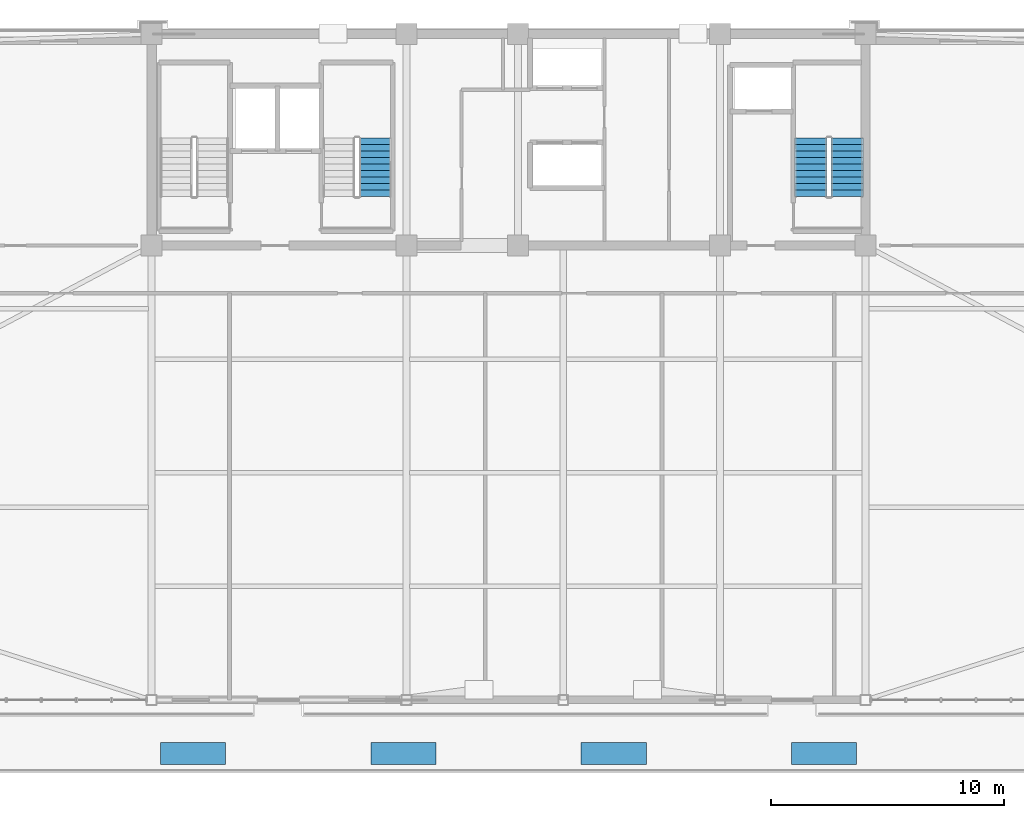
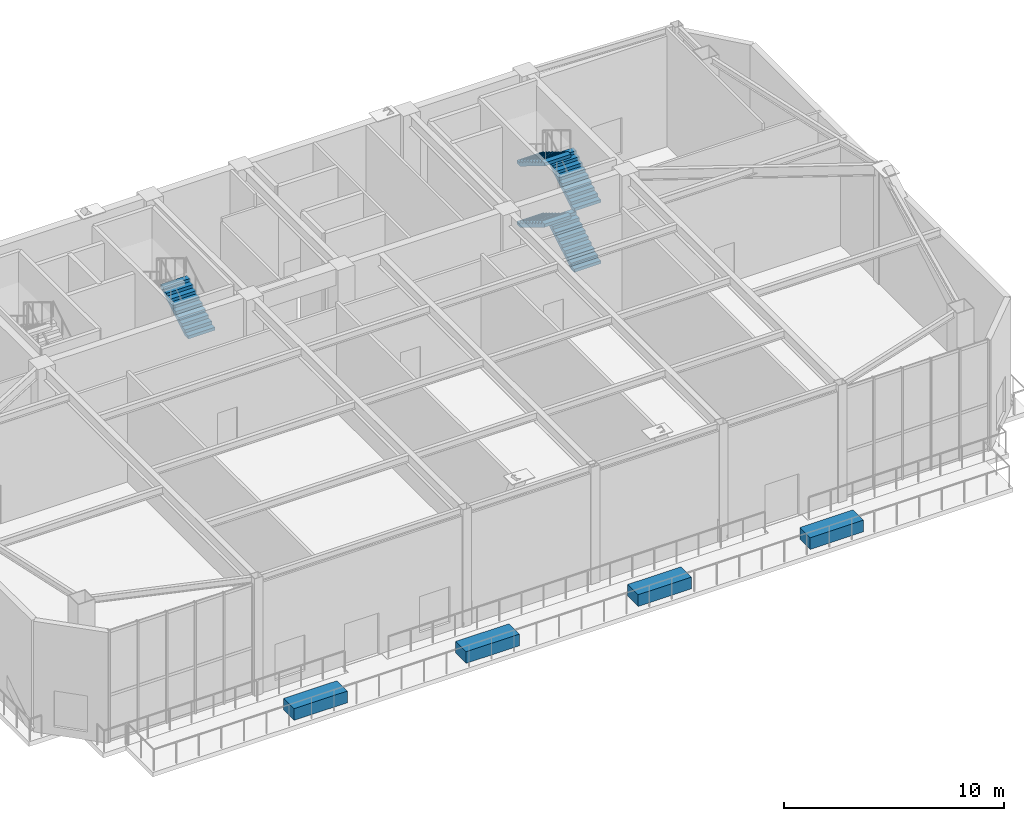
# One storey, part 11 of 15: 5 stair flights, 4 discrete accessories, 2 elements without a shape of their own.
"""IFC4 building model written with IfcOpenShell, lengths in metres."""

from ifc_helpers import new_model, si_unit, direction, frame, origin, origin_2d, place, context, subcontext, project, spatial, polyline, rectangle, outline, extrude, source, transform, mapped, material, type_object, element, aggregate, save


model = new_model("IFC4")

# Units and contexts
model_context = context("Model", 3, precision=1e-05, world=origin(), true_north=direction((0.0, 1.0)))
body_context = subcontext(model_context, "Body", "Model", "MODEL_VIEW")
ifc_project = project(units=[si_unit("LENGTHUNIT", "METRE"), si_unit("AREAUNIT", "SQUARE_METRE"), si_unit("VOLUMEUNIT", "CUBIC_METRE"), si_unit("PLANEANGLEUNIT", "RADIAN"), si_unit("MASSUNIT", "GRAM", prefix="KILO")], contexts=[model_context])

# Site, building, storey
site_placement = place(None, origin())
site = spatial("IfcSite", under=ifc_project, at=site_placement, CompositionType="ELEMENT")
building_placement = place(site_placement, origin())
building = spatial("IfcBuilding", under=site, at=building_placement, Name="Giltprow Tower", CompositionType="ELEMENT")
storey_placement = place(building_placement, frame((0.0, 0.0, 279.10009765625)))
storey = spatial("IfcBuildingStorey", under=building, at=storey_placement, Name="L72", CompositionType="ELEMENT", Elevation=279.10009765625)

# Stair, stair flight
ifc_material_1 = material(Name="Concrete C40", Category="concrete")
stair_type_1 = type_object("IfcStairType", Name="STR-ST-2", PredefinedType="HALF_TURN_STAIR", material=ifc_material_1)
stair_1_placement = place(storey_placement, origin())
stair_1 = element("IfcStair", 1, at=stair_1_placement, inside=storey, type_object=stair_type_1, Name="L72 Core Exit Stair ST-2", PredefinedType="HALF_TURN_STAIR")
stair_flight_type_1 = type_object("IfcStairFlightType", Name="SFL-ST-2", PredefinedType="STRAIGHT", material=ifc_material_1)
stair_flight_1_placement = place(storey_placement, frame((29.4599609375, 39.550048828125, 3.39990234375), z_axis=(0.0, 0.0, 1.0), x_axis=(0.0, 1.0, 0.0)))
stair_flight_1 = element("IfcStairFlight", 2, at=stair_flight_1_placement, type_object=stair_flight_type_1, Name="ST-2 flight 3", NumberOfRisers=10, NumberOfTreads=9, PredefinedType="STRAIGHT", RiserHeight=0.17, TreadLength=0.28, context=body_context, shape_type="SweptSolid", body=[
    extrude(outline(polyline([(0.0, 0.0), (0.0, 0.169921875), (0.280029296875, 0.169921875), (0.280029296875, 0.340087890625), (0.56005859375, 0.340087890625), (0.56005859375, 0.510009765625), (0.840087890625, 0.510009765625), (0.840087890625, 0.679931640625), (1.1201171875, 0.679931640625), (1.1201171875, 0.85009765625), (1.39990234375, 0.85009765625), (1.39990234375, 1.02001953125), (1.679931640625, 1.02001953125), (1.679931640625, 1.18994140625), (1.9599609375, 1.18994140625), (1.9599609375, 1.360107421875), (2.239990234375, 1.360107421875), (2.239990234375, 1.530029296875), (2.52001953125, 1.530029296875), (2.52001953125, 1.699951171875), (2.52001953125, 1.354736328125), (0.288818359375, 0.0), (0.0, 0.0)])), frame((0.0, 0.699951171875, 0.0), z_axis=(0.0, -1.0, 0.0), x_axis=(1.0, 0.0, 0.0)), (0.0, 0.0, 1.0), 1.39990234375),
])
aggregate(stair_1, [stair_flight_1])

# Stair, stair flights
stair_type_2 = type_object("IfcStairType", Name="STR-ST-3", PredefinedType="HALF_TURN_STAIR", material=ifc_material_1)
stair_2_placement = place(storey_placement, origin())
stair_2 = element("IfcStair", 3, at=stair_2_placement, inside=storey, type_object=stair_type_2, Name="L72 Core Exit Stair ST-3", PredefinedType="HALF_TURN_STAIR")
stair_flight_type_2 = type_object("IfcStairFlightType", Name="SFL-ST-3", PredefinedType="STRAIGHT", material=ifc_material_1)
stair_flight_2_placement = place(storey_placement, frame((49.760009765625, 39.550048828125, 0.0), z_axis=(0.0, 0.0, 1.0), x_axis=(0.0, 1.0, 0.0)))
stair_flight_2 = element("IfcStairFlight", 4, at=stair_flight_2_placement, type_object=stair_flight_type_2, Name="ST-3 flight 1", NumberOfRisers=10, NumberOfTreads=9, PredefinedType="STRAIGHT", RiserHeight=0.17, TreadLength=0.28, context=body_context, shape_type="SweptSolid", body=[
    extrude(outline(polyline([(0.0, 0.0), (0.0, 0.169921875), (0.280029296875, 0.169921875), (0.280029296875, 0.340087890625), (0.56005859375, 0.340087890625), (0.56005859375, 0.510009765625), (0.840087890625, 0.510009765625), (0.840087890625, 0.679931640625), (1.1201171875, 0.679931640625), (1.1201171875, 0.85009765625), (1.39990234375, 0.85009765625), (1.39990234375, 1.02001953125), (1.679931640625, 1.02001953125), (1.679931640625, 1.18994140625), (1.9599609375, 1.18994140625), (1.9599609375, 1.360107421875), (2.239990234375, 1.360107421875), (2.239990234375, 1.530029296875), (2.52001953125, 1.530029296875), (2.52001953125, 1.699951171875), (2.52001953125, 1.354736328125), (0.288818359375, 0.0), (0.0, 0.0)])), frame((0.0, 0.699951171875, 0.0), z_axis=(0.0, -1.0, 0.0), x_axis=(1.0, 0.0, 0.0)), (0.0, 0.0, 1.0), 1.39990234375),
])
stair_flight_3_placement = place(storey_placement, frame((48.199951171875, 42.070068359375, 1.699951171875), z_axis=(0.0, 0.0, 1.0), x_axis=(0.0, -1.0, 0.0)))
stair_flight_3 = element("IfcStairFlight", 5, at=stair_flight_3_placement, type_object=stair_flight_type_2, Name="ST-3 flight 2", NumberOfRisers=10, NumberOfTreads=9, PredefinedType="STRAIGHT", RiserHeight=0.17, TreadLength=0.28, context=body_context, shape_type="SweptSolid", body=[
    extrude(outline(polyline([(0.0, 0.0), (0.0, 0.169921875), (0.280029296875, 0.169921875), (0.280029296875, 0.340087890625), (0.56005859375, 0.340087890625), (0.56005859375, 0.510009765625), (0.840087890625, 0.510009765625), (0.840087890625, 0.679931640625), (1.1201171875, 0.679931640625), (1.1201171875, 0.85009765625), (1.39990234375, 0.85009765625), (1.39990234375, 1.02001953125), (1.679931640625, 1.02001953125), (1.679931640625, 1.18994140625), (1.9599609375, 1.18994140625), (1.9599609375, 1.360107421875), (2.239990234375, 1.360107421875), (2.239990234375, 1.530029296875), (2.52001953125, 1.530029296875), (2.52001953125, 1.699951171875), (2.52001953125, 1.354736328125), (0.288818359375, 0.0), (0.0, 0.0)])), frame((0.0, 0.699951171875, 0.0), z_axis=(0.0, -1.0, 0.0), x_axis=(1.0, 0.0, 0.0)), (0.0, 0.0, 1.0), 1.39990234375),
])
stair_flight_4_placement = place(storey_placement, frame((49.760009765625, 39.550048828125, 3.39990234375), z_axis=(0.0, 0.0, 1.0), x_axis=(0.0, 1.0, 0.0)))
stair_flight_4 = element("IfcStairFlight", 6, at=stair_flight_4_placement, type_object=stair_flight_type_2, Name="ST-3 flight 3", NumberOfRisers=10, NumberOfTreads=9, PredefinedType="STRAIGHT", RiserHeight=0.17, TreadLength=0.28, context=body_context, shape_type="SweptSolid", body=[
    extrude(outline(polyline([(0.0, 0.0), (0.0, 0.169921875), (0.280029296875, 0.169921875), (0.280029296875, 0.340087890625), (0.56005859375, 0.340087890625), (0.56005859375, 0.510009765625), (0.840087890625, 0.510009765625), (0.840087890625, 0.679931640625), (1.1201171875, 0.679931640625), (1.1201171875, 0.85009765625), (1.39990234375, 0.85009765625), (1.39990234375, 1.02001953125), (1.679931640625, 1.02001953125), (1.679931640625, 1.18994140625), (1.9599609375, 1.18994140625), (1.9599609375, 1.360107421875), (2.239990234375, 1.360107421875), (2.239990234375, 1.530029296875), (2.52001953125, 1.530029296875), (2.52001953125, 1.699951171875), (2.52001953125, 1.354736328125), (0.288818359375, 0.0), (0.0, 0.0)])), frame((0.0, 0.699951171875, 0.0), z_axis=(0.0, -1.0, 0.0), x_axis=(1.0, 0.0, 0.0)), (0.0, 0.0, 1.0), 1.39990234375),
])
stair_flight_5_placement = place(storey_placement, frame((48.199951171875, 42.070068359375, 5.099853515625), z_axis=(0.0, 0.0, 1.0), x_axis=(0.0, -1.0, 0.0)))
stair_flight_5 = element("IfcStairFlight", 7, at=stair_flight_5_placement, type_object=stair_flight_type_2, Name="ST-3 flight 4", NumberOfRisers=10, NumberOfTreads=9, PredefinedType="STRAIGHT", RiserHeight=0.17, TreadLength=0.28, context=body_context, shape_type="SweptSolid", body=[
    extrude(outline(polyline([(0.0, 0.0), (0.0, 0.169921875), (0.280029296875, 0.169921875), (0.280029296875, 0.340087890625), (0.56005859375, 0.340087890625), (0.56005859375, 0.510009765625), (0.840087890625, 0.510009765625), (0.840087890625, 0.679931640625), (1.1201171875, 0.679931640625), (1.1201171875, 0.85009765625), (1.39990234375, 0.85009765625), (1.39990234375, 1.02001953125), (1.679931640625, 1.02001953125), (1.679931640625, 1.18994140625), (1.9599609375, 1.18994140625), (1.9599609375, 1.360107421875), (2.239990234375, 1.360107421875), (2.239990234375, 1.530029296875), (2.52001953125, 1.530029296875), (2.52001953125, 1.699951171875), (2.52001953125, 1.354736328125), (0.288818359375, 0.0), (0.0, 0.0)])), frame((0.0, 0.699951171875, 0.0), z_axis=(0.0, -1.0, 0.0), x_axis=(1.0, 0.0, 0.0)), (0.0, 0.0, 1.0), 1.39990234375),
])
aggregate(stair_2, [stair_flight_2, stair_flight_3, stair_flight_4, stair_flight_5])

# Discrete accessories
ifc_material_2 = material(Name="Precast concrete C40", Category="concrete")
discrete_accessory_type = type_object("IfcDiscreteAccessoryType", Name="ACC-PLANTER-BOX", PredefinedType="USERDEFINED", material=ifc_material_2)
shared_shape = source(origin(), body_context, "Body", "SweptSolid", [
    extrude(rectangle(XDim=2.800048828125, YDim=0.949951171875, at=origin_2d()), origin(), (0.0, 0.0, 1.0), 0.64990234375),
])
for number, where, z_axis, x_axis, name in (
    (8, (21.632080078125, 15.60791015625, 0.0), (0.0, 0.0, 1.0), (1.0, 0.0, 0.0), "L72 Sky Garden Tree Planter PLN-1"),
    (9, (30.677001953125, 15.60791015625, 0.0), (0.0, 0.0, 1.0), (1.0, 0.0, 0.0), "L72 Sky Garden Tree Planter PLN-2"),
    (10, (39.722900390625, 15.60791015625, 0.0), (0.0, 0.0, 1.0), (1.0, 0.0, 0.0), "L72 Sky Garden Tree Planter PLN-3"),
    (11, (48.76806640625, 15.60791015625, 0.0), (0.0, 0.0, 1.0), (1.0, 0.0, 0.0), "L72 Sky Garden Tree Planter PLN-4"),
):
    element("IfcDiscreteAccessory", number, at=place(storey_placement, frame(where, z_axis=z_axis, x_axis=x_axis)), inside=storey, type_object=discrete_accessory_type, Name=name, ObjectType="PLANTER", PredefinedType="USERDEFINED", context=body_context, shape_type="MappedRepresentation", body=[
        mapped(shared_shape, transform((0.0, 0.0, 0.0), x_axis=(1.0, 0.0, 0.0), y_axis=(0.0, 1.0, 0.0), z_axis=(0.0, 0.0, 1.0), scale=1.0)),
    ])

save(model, "model.ifc")
